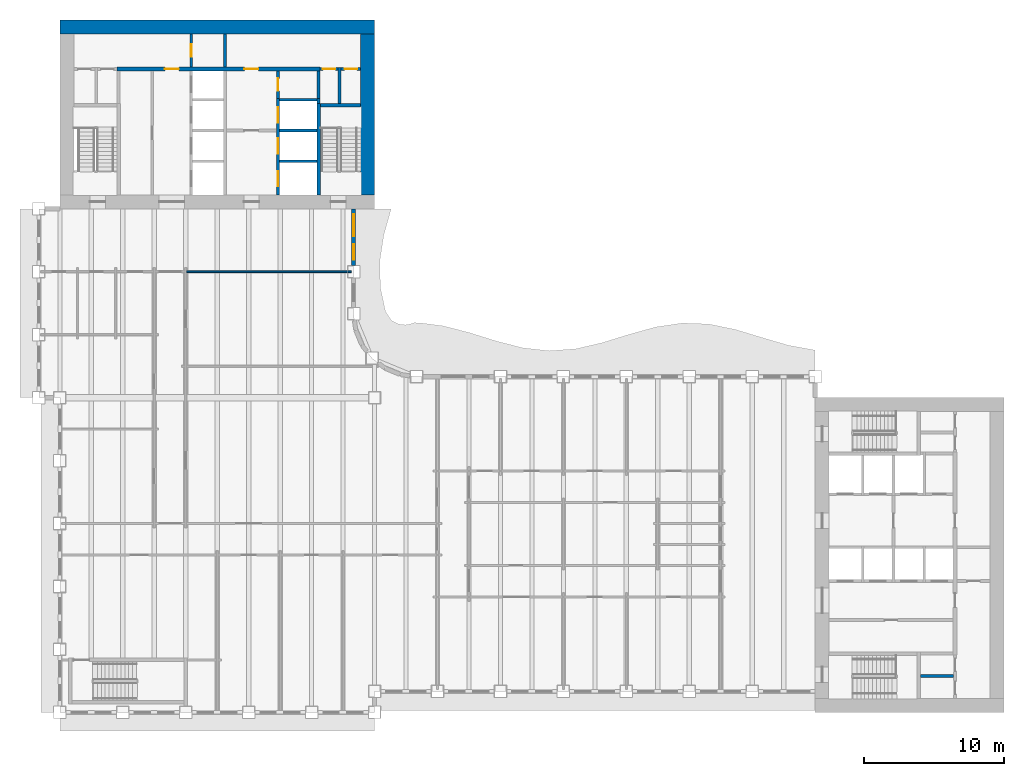
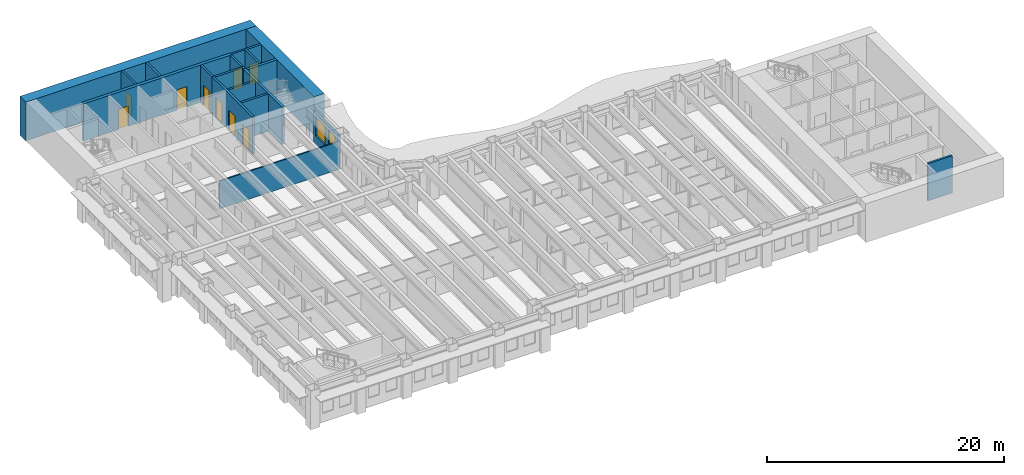
# One storey, part 9 of 16: 20 walls, 9 doors, 2 windows, 11 openings.
"""IFC4 building model written with IfcOpenShell, lengths in metres."""

from ifc_helpers import new_model, si_unit, direction, frame, frame_2d, origin, place, context, subcontext, project, spatial, rectangle, extrude, material, layer, layer_set, type_object, element, fill, save


model = new_model("IFC4")

# Units and contexts
model_context = context("Model", 3, precision=1e-05, world=origin(), true_north=direction((0.0, 1.0)))
body_context = subcontext(model_context, "Body", "Model", "MODEL_VIEW")
ifc_project = project(units=[si_unit("LENGTHUNIT", "METRE"), si_unit("AREAUNIT", "SQUARE_METRE"), si_unit("VOLUMEUNIT", "CUBIC_METRE"), si_unit("PLANEANGLEUNIT", "RADIAN"), si_unit("MASSUNIT", "GRAM", prefix="KILO")], contexts=[model_context])

# Site, building, storey
site_placement = place(None, origin())
site = spatial("IfcSite", under=ifc_project, at=site_placement, CompositionType="ELEMENT")
building_placement = place(site_placement, origin())
building = spatial("IfcBuilding", under=site, at=building_placement, Name="Sennacour Bend Tower", CompositionType="ELEMENT")
storey_placement = place(building_placement, frame((0.0, 0.0, 171.0)))
storey = spatial("IfcBuildingStorey", under=building, at=storey_placement, Name="L39", CompositionType="ELEMENT", Elevation=171.0)

# Walls
ifc_material_1 = material(Name="Concrete C60/75", Category="concrete")
ifc_layer_1 = layer(ifc_material_1, 1.0, Name="Concrete C60/75", Category="concrete")
ifc_layer_set_1 = layer_set([ifc_layer_1], Name="Concrete C60/75")
wall_type_1 = type_object("IfcWallType", Name="Core wall 1000 C60/75", PredefinedType="SHEAR", material=ifc_layer_set_1)
wall_1_placement = place(storey_placement, frame((0.0, 49.0, -0.14990234375), z_axis=(0.0, 0.0, 1.0), x_axis=(1.0, 0.0, 0.0)))
element("IfcWall", 1, at=wall_1_placement, inside=storey, type_object=wall_type_1, Name="Core B wall L39 N", PredefinedType="SHEAR", context=body_context, shape_type="SweptSolid", body=[
    extrude(rectangle(XDim=22.5, YDim=1.0, at=frame_2d((11.25, 0.0))), origin(), (0.0, 0.0, 1.0), 4.0),
])
wall_2_placement = place(storey_placement, frame((22.0, 37.0, -0.14990234375), z_axis=(0.0, 0.0, 1.0), x_axis=(0.0, 1.0, 0.0)))
element("IfcWall", 2, at=wall_2_placement, inside=storey, type_object=wall_type_1, Name="Core B wall L39 E", PredefinedType="SHEAR", context=body_context, shape_type="SweptSolid", body=[
    extrude(rectangle(XDim=11.5, YDim=1.0, at=frame_2d((5.75, 0.0))), origin(), (0.0, 0.0, 1.0), 4.0),
])
ifc_material_2 = material(Name="Plasterboard partition on steel studs", Category="steel")
ifc_layer_2 = layer(ifc_material_2, 0.1201171875, Name="Plasterboard partition on steel studs", Category="steel")
ifc_layer_set_2 = layer_set([ifc_layer_2], Name="Plasterboard partition on steel studs")
wall_type_2 = type_object("IfcWallType", Name="Partition 120", PredefinedType="PARTITIONING", material=ifc_layer_set_2)
wall_3_placement = place(storey_placement, frame((9.06005859375, 31.5, 0.0), z_axis=(0.0, 0.0, 1.0), x_axis=(1.0, 0.0, 0.0)))
element("IfcWall", 3, at=wall_3_placement, inside=storey, type_object=wall_type_2, Name="P-L39-W083ae", PredefinedType="PARTITIONING", context=body_context, shape_type="SweptSolid", body=[
    extrude(rectangle(XDim=11.7900390625, YDim=0.1201171875, at=frame_2d((5.89501953125, 0.0))), origin(), (0.0, 0.0, 1.0), 2.8701171875),
])

# Wall, opening, door
ifc_material_3 = material(Name="Fire-rated plasterboard partition on steel studs", Category="steel")
ifc_layer_3 = layer(ifc_material_3, 0.199951171875, Name="Fire-rated plasterboard partition on steel studs", Category="steel")
ifc_layer_set_3 = layer_set([ifc_layer_3], Name="Fire-rated plasterboard partition on steel studs")
wall_type_3 = type_object("IfcWallType", Name="Rated partition 200", PredefinedType="PARTITIONING", material=ifc_layer_set_3)
wall_4_placement = place(storey_placement, frame((9.39990234375, 46.14990234375, 0.0), z_axis=(0.0, 0.0, 1.0), x_axis=(0.0, 1.0, 0.0)))
wall_4 = element("IfcWall", 4, at=wall_4_placement, inside=storey, type_object=wall_type_3, Name="P-L39-W014", PredefinedType="PARTITIONING", context=body_context, shape_type="SweptSolid", body=[
    extrude(rectangle(XDim=2.35009765625, YDim=0.199951171875, at=frame_2d((1.175048828125, 0.0))), origin(), (0.0, 0.0, 1.0), 3.85009765625),
])
opening_1_placement = place(wall_4_placement, frame((0.72509765625, 0.0, 0.0)))
opening_1 = element("IfcOpeningElement", 5, at=opening_1_placement, cuts=wall_4, Name="Opening SV", PredefinedType="OPENING", context=body_context, shape_type="SweptSolid", body=[
    extrude(rectangle(XDim=0.89990234375, YDim=2.10009765625, at=frame_2d((0.449951171875, 1.050048828125))), frame((0.0, 0.10986328125, 0.0), z_axis=(0.0, -1.0, 0.0), x_axis=(1.0, 0.0, 0.0)), (0.0, 0.0, 1.0), 0.219970703125),
])
ifc_material_4 = material(Name="Painted steel", Category="steel")
door_type_1 = type_object("IfcDoorType", Name="DR-SERVICE-900", OperationType="NOTDEFINED", PredefinedType="DOOR", material=ifc_material_4)
door_1_placement = place(opening_1_placement, origin())
door_1 = element("IfcDoor", 6, at=door_1_placement, inside=storey, type_object=door_type_1, Name="Door", OperationType="SINGLE_SWING_RIGHT", OverallHeight=2.10009765625, OverallWidth=0.89990234375, PredefinedType="DOOR", context=body_context, shape_type="SweptSolid", body=[
    extrude(rectangle(XDim=0.89990234375, YDim=2.10009765625, at=frame_2d((0.449951171875, 1.050048828125))), frame((0.0, 0.02490234375, 0.0), z_axis=(0.0, -1.0, 0.0), x_axis=(1.0, 0.0, 0.0)), (0.0, 0.0, 1.0), 0.050048828125),
])
fill(opening_1, door_1)

# Wall
wall_5_placement = place(storey_placement, frame((11.800048828125, 46.14990234375, 0.0), z_axis=(0.0, 0.0, 1.0), x_axis=(0.0, 1.0, 0.0)))
element("IfcWall", 7, at=wall_5_placement, inside=storey, type_object=wall_type_3, Name="P-L39-W017", PredefinedType="PARTITIONING", context=body_context, shape_type="SweptSolid", body=[
    extrude(rectangle(XDim=2.35009765625, YDim=0.199951171875, at=frame_2d((1.175048828125, 0.0))), origin(), (0.0, 0.0, 1.0), 3.85009765625),
])

# Wall, opening, door
wall_6_placement = place(storey_placement, frame((15.60009765625, 43.89990234375, 0.0), z_axis=(0.0, 0.0, 1.0), x_axis=(0.0, 1.0, 0.0)))
wall_6 = element("IfcWall", 8, at=wall_6_placement, inside=storey, type_object=wall_type_3, Name="P-L39-W019", PredefinedType="PARTITIONING", context=body_context, shape_type="SweptSolid", body=[
    extrude(rectangle(XDim=1.9501953125, YDim=0.199951171875, at=frame_2d((0.97509765625, 0.0))), origin(), (0.0, 0.0, 1.0), 3.85009765625),
])
opening_2_placement = place(wall_6_placement, frame((0.525146484375, 0.0, 0.0)))
opening_2 = element("IfcOpeningElement", 9, at=opening_2_placement, cuts=wall_6, Name="Opening SV", PredefinedType="OPENING", context=body_context, shape_type="SweptSolid", body=[
    extrude(rectangle(XDim=0.89990234375, YDim=2.10009765625, at=frame_2d((0.449951171875, 1.050048828125))), frame((0.0, 0.10986328125, 0.0), z_axis=(0.0, -1.0, 0.0), x_axis=(1.0, 0.0, 0.0)), (0.0, 0.0, 1.0), 0.219970703125),
])
door_2_placement = place(opening_2_placement, origin())
door_2 = element("IfcDoor", 10, at=door_2_placement, inside=storey, type_object=door_type_1, Name="Door", OperationType="SINGLE_SWING_RIGHT", OverallHeight=2.10009765625, OverallWidth=0.89990234375, PredefinedType="DOOR", context=body_context, shape_type="SweptSolid", body=[
    extrude(rectangle(XDim=0.89990234375, YDim=2.10009765625, at=frame_2d((0.449951171875, 1.050048828125))), frame((0.0, 0.02490234375, 0.0), z_axis=(0.0, -1.0, 0.0), x_axis=(1.0, 0.0, 0.0)), (0.0, 0.0, 1.0), 0.050048828125),
])
fill(opening_2, door_2)

# Walls
wall_7_placement = place(storey_placement, frame((18.5, 43.89990234375, 0.0), z_axis=(0.0, 0.0, 1.0), x_axis=(0.0, 1.0, 0.0)))
element("IfcWall", 11, at=wall_7_placement, inside=storey, type_object=wall_type_3, Name="P-L39-W023", PredefinedType="PARTITIONING", context=body_context, shape_type="SweptSolid", body=[
    extrude(rectangle(XDim=1.9501953125, YDim=0.199951171875, at=frame_2d((0.97509765625, 0.0))), origin(), (0.0, 0.0, 1.0), 3.85009765625),
])
wall_8_placement = place(storey_placement, frame((20.0, 43.52490234375, 0.0), z_axis=(0.0, 0.0, 1.0), x_axis=(0.0, 1.0, 0.0)))
element("IfcWall", 12, at=wall_8_placement, inside=storey, type_object=wall_type_3, Name="P-L39-W024", PredefinedType="PARTITIONING", context=body_context, shape_type="SweptSolid", body=[
    extrude(rectangle(XDim=2.5751953125, YDim=0.199951171875, at=frame_2d((1.28759765625, 0.0))), origin(), (0.0, 0.0, 1.0), 3.85009765625),
])
wall_9_placement = place(storey_placement, frame((61.52490234375, 2.60009765625, 0.0), z_axis=(0.0, 0.0, 1.0), x_axis=(1.0, 0.0, 0.0)))
element("IfcWall", 13, at=wall_9_placement, inside=storey, type_object=wall_type_3, Name="P-L39-W053", PredefinedType="PARTITIONING", context=body_context, shape_type="SweptSolid", body=[
    extrude(rectangle(XDim=2.375, YDim=0.199951171875, at=frame_2d((1.1875, 0.0))), origin(), (0.0, 0.0, 1.0), 3.85009765625),
])

# Wall, opening, door
wall_10_placement = place(storey_placement, frame((18.60009765625, 46.0, 0.0), z_axis=(0.0, 0.0, 1.0), x_axis=(1.0, 0.0, 0.0)))
wall_10 = element("IfcWall", 14, at=wall_10_placement, inside=storey, type_object=wall_type_3, Name="P-L39-W096a", PredefinedType="PARTITIONING", context=body_context, shape_type="SweptSolid", body=[
    extrude(rectangle(XDim=1.2998046875, YDim=0.199951171875, at=frame_2d((0.64990234375, 0.0))), origin(), (0.0, 0.0, 1.0), 3.85009765625),
])
opening_3_placement = place(wall_10_placement, frame((0.199951171875, 0.0, 0.0)))
opening_3 = element("IfcOpeningElement", 15, at=opening_3_placement, cuts=wall_10, Name="Opening SV", PredefinedType="OPENING", context=body_context, shape_type="SweptSolid", body=[
    extrude(rectangle(XDim=0.89990234375, YDim=2.10009765625, at=frame_2d((0.449951171875, 1.050048828125))), frame((0.0, 0.10986328125, 0.0), z_axis=(0.0, -1.0, 0.0), x_axis=(1.0, 0.0, 0.0)), (0.0, 0.0, 1.0), 0.219970703125),
])
door_3_placement = place(opening_3_placement, origin())
door_3 = element("IfcDoor", 16, at=door_3_placement, inside=storey, type_object=door_type_1, Name="Door", OperationType="SINGLE_SWING_LEFT", OverallHeight=2.10009765625, OverallWidth=0.89990234375, PredefinedType="DOOR", context=body_context, shape_type="SweptSolid", body=[
    extrude(rectangle(XDim=0.89990234375, YDim=2.10009765625, at=frame_2d((0.449951171875, 1.050048828125))), frame((0.0, 0.02490234375, 0.0), z_axis=(0.0, -1.0, 0.0), x_axis=(1.0, 0.0, 0.0)), (0.0, 0.0, 1.0), 0.050048828125),
])
fill(opening_3, door_3)

wall_11_placement = place(storey_placement, frame((20.10009765625, 46.0, 0.0), z_axis=(0.0, 0.0, 1.0), x_axis=(1.0, 0.0, 0.0)))
wall_11 = element("IfcWall", 17, at=wall_11_placement, inside=storey, type_object=wall_type_3, Name="P-L39-W096b", PredefinedType="PARTITIONING", context=body_context, shape_type="SweptSolid", body=[
    extrude(rectangle(XDim=1.39990234375, YDim=0.199951171875, at=frame_2d((0.699951171875, 0.0))), origin(), (0.0, 0.0, 1.0), 3.85009765625),
])
opening_4_placement = place(wall_11_placement, frame((0.25, 0.0, 0.0)))
opening_4 = element("IfcOpeningElement", 18, at=opening_4_placement, cuts=wall_11, Name="Opening SV", PredefinedType="OPENING", context=body_context, shape_type="SweptSolid", body=[
    extrude(rectangle(XDim=0.89990234375, YDim=2.10009765625, at=frame_2d((0.449951171875, 1.050048828125))), frame((0.0, 0.10986328125, 0.0), z_axis=(0.0, -1.0, 0.0), x_axis=(1.0, 0.0, 0.0)), (0.0, 0.0, 1.0), 0.219970703125),
])
door_4_placement = place(opening_4_placement, origin())
door_4 = element("IfcDoor", 19, at=door_4_placement, inside=storey, type_object=door_type_1, Name="Door", OperationType="SINGLE_SWING_LEFT", OverallHeight=2.10009765625, OverallWidth=0.89990234375, PredefinedType="DOOR", context=body_context, shape_type="SweptSolid", body=[
    extrude(rectangle(XDim=0.89990234375, YDim=2.10009765625, at=frame_2d((0.449951171875, 1.050048828125))), frame((0.0, 0.02490234375, 0.0), z_axis=(0.0, -1.0, 0.0), x_axis=(1.0, 0.0, 0.0)), (0.0, 0.0, 1.0), 0.050048828125),
])
fill(opening_4, door_4)

# Wall, openings, windows
ifc_material_5 = material(Name="Warm limestone cladding", Category="masonry")
ifc_layer_4 = layer(ifc_material_5, 0.050048828125, Name="Warm limestone cladding", Category="masonry")
ifc_material_6 = material(Name="Precast concrete C40/50", Category="concrete")
ifc_layer_5 = layer(ifc_material_6, 0.25, Name="Precast concrete C40/50", Category="concrete")
ifc_layer_set_4 = layer_set([ifc_layer_4, ifc_layer_5], Name="Precast concrete C40/50 with limestone cladding")
wall_type_4 = type_object("IfcWallType", Name="STONE-CLAD PRECAST SPANDREL 300", PredefinedType="STANDARD", material=ifc_layer_set_4)
wall_12_placement = place(storey_placement, frame((21.0, 31.949951171875, 0.0), z_axis=(0.0, 0.0, 1.0), x_axis=(0.0, 1.0, 0.0)))
wall_12 = element("IfcWall", 20, at=wall_12_placement, inside=storey, type_object=wall_type_4, Name="Stone spandrel and pier wall L39 15.01", PredefinedType="STANDARD", context=body_context, shape_type="SweptSolid", body=[
    extrude(rectangle(XDim=4.050048828125, YDim=0.300048828125, at=frame_2d((2.02490234375, 0.0))), origin(), (0.0, 0.0, 1.0), 3.14892578125),
])
opening_5_placement = place(wall_12_placement, frame((0.39990234375, 0.0, 0.89990234375)))
opening_5 = element("IfcOpeningElement", 21, at=opening_5_placement, cuts=wall_12, Name="Opening W19", PredefinedType="OPENING", context=body_context, shape_type="SweptSolid", body=[
    extrude(rectangle(XDim=1.10009765625, YDim=2.0, at=frame_2d((0.550048828125, 1.0))), frame((0.0, 0.16015625, 0.0), z_axis=(0.0, -1.0, 0.0), x_axis=(1.0, 0.0, 0.0)), (0.0, 0.0, 1.0), 0.320068359375),
])
opening_6_placement = place(wall_12_placement, frame((2.10009765625, 0.0, 0.89990234375)))
opening_6 = element("IfcOpeningElement", 22, at=opening_6_placement, cuts=wall_12, Name="Opening W9", PredefinedType="OPENING", context=body_context, shape_type="SweptSolid", body=[
    extrude(rectangle(XDim=1.550048828125, YDim=2.0, at=frame_2d((0.77490234375, 1.0))), frame((0.0, 0.16015625, 0.0), z_axis=(0.0, -1.0, 0.0), x_axis=(1.0, 0.0, 0.0)), (0.0, 0.0, 1.0), 0.320068359375),
])
ifc_material_7 = material(Name="Clear low-emissivity glass", Category="glass")
window_type_1 = type_object("IfcWindowType", Name="WIN-RIBBON-1100x2000", PartitioningType="SINGLE_PANEL", PredefinedType="WINDOW", material=ifc_material_7)
window_1_placement = place(opening_5_placement, origin())
window_1 = element("IfcWindow", 23, at=window_1_placement, inside=storey, type_object=window_type_1, Name="Ribbon window L39 15.01.0", OverallHeight=2.0, OverallWidth=1.10009765625, PartitioningType="SINGLE_PANEL", PredefinedType="WINDOW", context=body_context, shape_type="SweptSolid", body=[
    extrude(rectangle(XDim=1.10009765625, YDim=2.0, at=frame_2d((0.550048828125, 1.0))), frame((0.0, 0.030029296875, 0.0), z_axis=(0.0, -1.0, 0.0), x_axis=(1.0, 0.0, 0.0)), (0.0, 0.0, 1.0), 0.06005859375),
])
fill(opening_5, window_1)
window_type_2 = type_object("IfcWindowType", Name="WIN-RIBBON-1550x2000", PartitioningType="SINGLE_PANEL", PredefinedType="WINDOW", material=ifc_material_7)
window_2_placement = place(opening_6_placement, origin())
window_2 = element("IfcWindow", 24, at=window_2_placement, inside=storey, type_object=window_type_2, Name="Ribbon window L39 15.01.1", OverallHeight=2.0, OverallWidth=1.550048828125, PartitioningType="SINGLE_PANEL", PredefinedType="WINDOW", context=body_context, shape_type="SweptSolid", body=[
    extrude(rectangle(XDim=1.550048828125, YDim=2.0, at=frame_2d((0.77490234375, 1.0))), frame((0.0, 0.030029296875, 0.0), z_axis=(0.0, -1.0, 0.0), x_axis=(1.0, 0.0, 0.0)), (0.0, 0.0, 1.0), 0.06005859375),
])
fill(opening_6, window_2)

# Wall, openings, doors
ifc_material_8 = material(Name="Concrete C50/60", Category="concrete")
ifc_layer_6 = layer(ifc_material_8, 0.199951171875, Name="Concrete C50/60", Category="concrete")
ifc_layer_set_5 = layer_set([ifc_layer_6], Name="Concrete C50/60")
wall_type_5 = type_object("IfcWallType", Name="Shaft wall 200", PredefinedType="SOLIDWALL", material=ifc_layer_set_5)
wall_13_placement = place(storey_placement, frame((15.60009765625, 37.0, 0.0), z_axis=(0.0, 0.0, 1.0), x_axis=(0.0, 1.0, 0.0)))
wall_13 = element("IfcWall", 25, at=wall_13_placement, inside=storey, type_object=wall_type_5, Name="P-L39-W018", PredefinedType="SOLIDWALL", context=body_context, shape_type="SweptSolid", body=[
    extrude(rectangle(XDim=6.89990234375, YDim=0.199951171875, at=frame_2d((3.449951171875, 0.0))), origin(), (0.0, 0.0, 1.0), 3.85009765625),
])
opening_7_placement = place(wall_13_placement, frame((0.60009765625, 0.0, 0.011962890625)))
opening_7 = element("IfcOpeningElement", 26, at=opening_7_placement, cuts=wall_13, Name="Opening FLD", PredefinedType="OPENING", context=body_context, shape_type="SweptSolid", body=[
    extrude(rectangle(XDim=1.10009765625, YDim=2.10009765625, at=frame_2d((0.550048828125, 1.050048828125))), frame((0.0, 0.10986328125, 0.0), z_axis=(0.0, -1.0, 0.0), x_axis=(1.0, 0.0, 0.0)), (0.0, 0.0, 1.0), 0.219970703125),
])
opening_8_placement = place(wall_13_placement, frame((2.949951171875, 0.0, 0.011962890625)))
opening_8 = element("IfcOpeningElement", 27, at=opening_8_placement, cuts=wall_13, Name="Opening FLD", PredefinedType="OPENING", context=body_context, shape_type="SweptSolid", body=[
    extrude(rectangle(XDim=1.10009765625, YDim=2.10009765625, at=frame_2d((0.550048828125, 1.050048828125))), frame((0.0, 0.10986328125, 0.0), z_axis=(0.0, -1.0, 0.0), x_axis=(1.0, 0.0, 0.0)), (0.0, 0.0, 1.0), 0.219970703125),
])
opening_9_placement = place(wall_13_placement, frame((5.14990234375, 0.0, 0.011962890625)))
opening_9 = element("IfcOpeningElement", 28, at=opening_9_placement, cuts=wall_13, Name="Opening LD", PredefinedType="OPENING", context=body_context, shape_type="SweptSolid", body=[
    extrude(rectangle(XDim=1.10009765625, YDim=2.10009765625, at=frame_2d((0.550048828125, 1.050048828125))), frame((0.0, 0.10986328125, 0.0), z_axis=(0.0, -1.0, 0.0), x_axis=(1.0, 0.0, 0.0)), (0.0, 0.0, 1.0), 0.219970703125),
])
ifc_material_9 = material(Name="Stainless steel", Category="steel")
door_type_2 = type_object("IfcDoorType", Name="DR-FF-LANDING-1100", OperationType="NOTDEFINED", PredefinedType="DOOR", material=ifc_material_9)
door_5_placement = place(opening_7_placement, origin())
door_5 = element("IfcDoor", 29, at=door_5_placement, inside=storey, type_object=door_type_2, Name="Fire service lift landing door FB1", OperationType="SLIDING_TO_RIGHT", OverallHeight=2.10009765625, OverallWidth=1.10009765625, PredefinedType="DOOR", context=body_context, shape_type="SweptSolid", body=[
    extrude(rectangle(XDim=1.10009765625, YDim=2.10009765625, at=frame_2d((0.550048828125, 1.050048828125))), frame((0.0, 0.02490234375, 0.0), z_axis=(0.0, -1.0, 0.0), x_axis=(1.0, 0.0, 0.0)), (0.0, 0.0, 1.0), 0.050048828125),
])
fill(opening_7, door_5)
door_6_placement = place(opening_8_placement, origin())
door_6 = element("IfcDoor", 30, at=door_6_placement, inside=storey, type_object=door_type_2, Name="Fire service lift landing door FB2", OperationType="SLIDING_TO_LEFT", OverallHeight=2.10009765625, OverallWidth=1.10009765625, PredefinedType="DOOR", context=body_context, shape_type="SweptSolid", body=[
    extrude(rectangle(XDim=1.10009765625, YDim=2.10009765625, at=frame_2d((0.550048828125, 1.050048828125))), frame((0.0, 0.02490234375, 0.0), z_axis=(0.0, -1.0, 0.0), x_axis=(1.0, 0.0, 0.0)), (0.0, 0.0, 1.0), 0.050048828125),
])
fill(opening_8, door_6)
door_type_3 = type_object("IfcDoorType", Name="DR-LANDING-1100", OperationType="NOTDEFINED", PredefinedType="DOOR", material=ifc_material_9)
door_7_placement = place(opening_9_placement, origin())
door_7 = element("IfcDoor", 31, at=door_7_placement, inside=storey, type_object=door_type_3, Name="Lift landing door MB5", OperationType="SLIDING_TO_RIGHT", OverallHeight=2.10009765625, OverallWidth=1.10009765625, PredefinedType="DOOR", context=body_context, shape_type="SweptSolid", body=[
    extrude(rectangle(XDim=1.10009765625, YDim=2.10009765625, at=frame_2d((0.550048828125, 1.050048828125))), frame((0.0, 0.02490234375, 0.0), z_axis=(0.0, -1.0, 0.0), x_axis=(1.0, 0.0, 0.0)), (0.0, 0.0, 1.0), 0.050048828125),
])
fill(opening_9, door_7)

# Walls
wall_14_placement = place(storey_placement, frame((18.5, 43.52490234375, 0.0), z_axis=(0.0, 0.0, 1.0), x_axis=(0.0, 1.0, 0.0)))
element("IfcWall", 32, at=wall_14_placement, inside=storey, type_object=wall_type_5, Name="P-L39-W022", PredefinedType="SOLIDWALL", context=body_context, shape_type="SweptSolid", body=[
    extrude(rectangle(XDim=0.375, YDim=0.199951171875, at=frame_2d((0.1875, 0.0))), origin(), (0.0, 0.0, 1.0), 3.85009765625),
])
for number, where, z_axis, x_axis, name in (
    (33, (15.699951171875, 39.39990234375, 0.0), (0.0, 0.0, 1.0), (1.0, 0.0, 0.0), "P-L39-W086"),
    (34, (15.699951171875, 41.60009765625, 0.0), (0.0, 0.0, 1.0), (1.0, 0.0, 0.0), "P-L39-W089"),
):
    element("IfcWall", number, at=place(storey_placement, frame(where, z_axis=z_axis, x_axis=x_axis)), inside=storey, type_object=wall_type_5, Name=name, PredefinedType="SOLIDWALL", context=body_context, shape_type="SweptSolid", body=[
        extrude(rectangle(XDim=2.675048828125, YDim=0.199951171875, at=frame_2d((1.33740234375, 0.0))), origin(), (0.0, 0.0, 1.0), 3.85009765625),
    ])
wall_15_placement = place(storey_placement, frame((15.699951171875, 43.800048828125, 0.0), z_axis=(0.0, 0.0, 1.0), x_axis=(1.0, 0.0, 0.0)))
element("IfcWall", 35, at=wall_15_placement, inside=storey, type_object=wall_type_5, Name="P-L39-W093", PredefinedType="SOLIDWALL", context=body_context, shape_type="SweptSolid", body=[
    extrude(rectangle(XDim=2.699951171875, YDim=0.199951171875, at=frame_2d((1.35009765625, 0.0))), origin(), (0.0, 0.0, 1.0), 3.85009765625),
])

# Wall, openings, doors
ifc_layer_7 = layer(ifc_material_1, 0.300048828125, Name="Concrete C60/75", Category="concrete")
ifc_layer_set_6 = layer_set([ifc_layer_7], Name="Concrete C60/75")
wall_type_6 = type_object("IfcWallType", Name="Spine wall 300", PredefinedType="SHEAR", material=ifc_layer_set_6)
wall_16_placement = place(storey_placement, frame((4.10009765625, 46.0, 0.0), z_axis=(0.0, 0.0, 1.0), x_axis=(1.0, 0.0, 0.0)))
wall_16 = element("IfcWall", 36, at=wall_16_placement, inside=storey, type_object=wall_type_6, Name="P-L39-W095", PredefinedType="SHEAR", context=body_context, shape_type="SweptSolid", body=[
    extrude(rectangle(XDim=14.5, YDim=0.300048828125, at=frame_2d((7.25, 0.0))), origin(), (0.0, 0.0, 1.0), 3.85009765625),
])
opening_10_placement = place(wall_16_placement, frame((3.39990234375, 0.0, 0.0)))
opening_10 = element("IfcOpeningElement", 37, at=opening_10_placement, cuts=wall_16, Name="Opening CD2", PredefinedType="OPENING", context=body_context, shape_type="SweptSolid", body=[
    extrude(rectangle(XDim=1.0, YDim=2.10009765625, at=frame_2d((0.5, 1.050048828125))), frame((0.0, 0.16015625, 0.0), z_axis=(0.0, -1.0, 0.0), x_axis=(1.0, 0.0, 0.0)), (0.0, 0.0, 1.0), 0.320068359375),
])
opening_11_placement = place(wall_16_placement, frame((9.099853515625, 0.0, 0.0)))
opening_11 = element("IfcOpeningElement", 38, at=opening_11_placement, cuts=wall_16, Name="Opening CD2", PredefinedType="OPENING", context=body_context, shape_type="SweptSolid", body=[
    extrude(rectangle(XDim=1.0, YDim=2.10009765625, at=frame_2d((0.5, 1.050048828125))), frame((0.0, 0.16015625, 0.0), z_axis=(0.0, -1.0, 0.0), x_axis=(1.0, 0.0, 0.0)), (0.0, 0.0, 1.0), 0.320068359375),
])
door_type_4 = type_object("IfcDoorType", Name="DR-LOBBY-1000", OperationType="NOTDEFINED", PredefinedType="DOOR", material=ifc_material_4)
door_8_placement = place(opening_10_placement, origin())
door_8 = element("IfcDoor", 39, at=door_8_placement, inside=storey, type_object=door_type_4, Name="Door", OperationType="SINGLE_SWING_LEFT", OverallHeight=2.10009765625, OverallWidth=1.0, PredefinedType="DOOR", context=body_context, shape_type="SweptSolid", body=[
    extrude(rectangle(XDim=1.0, YDim=2.10009765625, at=frame_2d((0.5, 1.050048828125))), frame((0.0, 0.02490234375, 0.0), z_axis=(0.0, -1.0, 0.0), x_axis=(1.0, 0.0, 0.0)), (0.0, 0.0, 1.0), 0.050048828125),
])
fill(opening_10, door_8)
door_9_placement = place(opening_11_placement, origin())
door_9 = element("IfcDoor", 40, at=door_9_placement, inside=storey, type_object=door_type_4, Name="Door", OperationType="SINGLE_SWING_RIGHT", OverallHeight=2.10009765625, OverallWidth=1.0, PredefinedType="DOOR", context=body_context, shape_type="SweptSolid", body=[
    extrude(rectangle(XDim=1.0, YDim=2.10009765625, at=frame_2d((0.5, 1.050048828125))), frame((0.0, 0.02490234375, 0.0), z_axis=(0.0, -1.0, 0.0), x_axis=(1.0, 0.0, 0.0)), (0.0, 0.0, 1.0), 0.050048828125),
])
fill(opening_11, door_9)

# Walls
ifc_layer_8 = layer(ifc_material_1, 0.25, Name="Concrete C60/75", Category="concrete")
ifc_layer_set_7 = layer_set([ifc_layer_8], Name="Concrete C60/75")
wall_type_7 = type_object("IfcWallType", Name="Stair wall 250", PredefinedType="SHEAR", material=ifc_layer_set_7)
wall_17_placement = place(storey_placement, frame((18.5, 37.0, 0.0), z_axis=(0.0, 0.0, 1.0), x_axis=(0.0, 1.0, 0.0)))
element("IfcWall", 41, at=wall_17_placement, inside=storey, type_object=wall_type_7, Name="P-L39-W021", PredefinedType="SHEAR", context=body_context, shape_type="SweptSolid", body=[
    extrude(rectangle(XDim=6.52490234375, YDim=0.25, at=frame_2d((3.262451171875, 0.0))), origin(), (0.0, 0.0, 1.0), 3.85009765625),
])
wall_18_placement = place(storey_placement, frame((18.625, 43.39990234375, 0.0), z_axis=(0.0, 0.0, 1.0), x_axis=(1.0, 0.0, 0.0)))
element("IfcWall", 42, at=wall_18_placement, inside=storey, type_object=wall_type_7, Name="P-L39-W091", PredefinedType="SHEAR", context=body_context, shape_type="SweptSolid", body=[
    extrude(rectangle(XDim=2.875, YDim=0.25, at=frame_2d((1.4375, 0.0))), origin(), (0.0, 0.0, 1.0), 3.85009765625),
])

save(model, "model.ifc")
